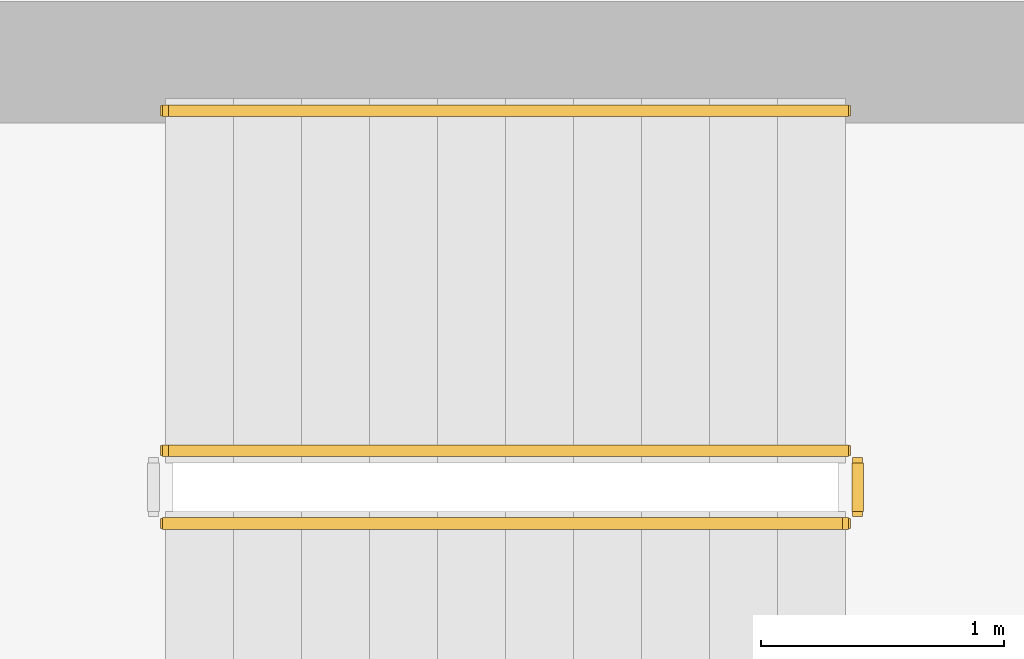
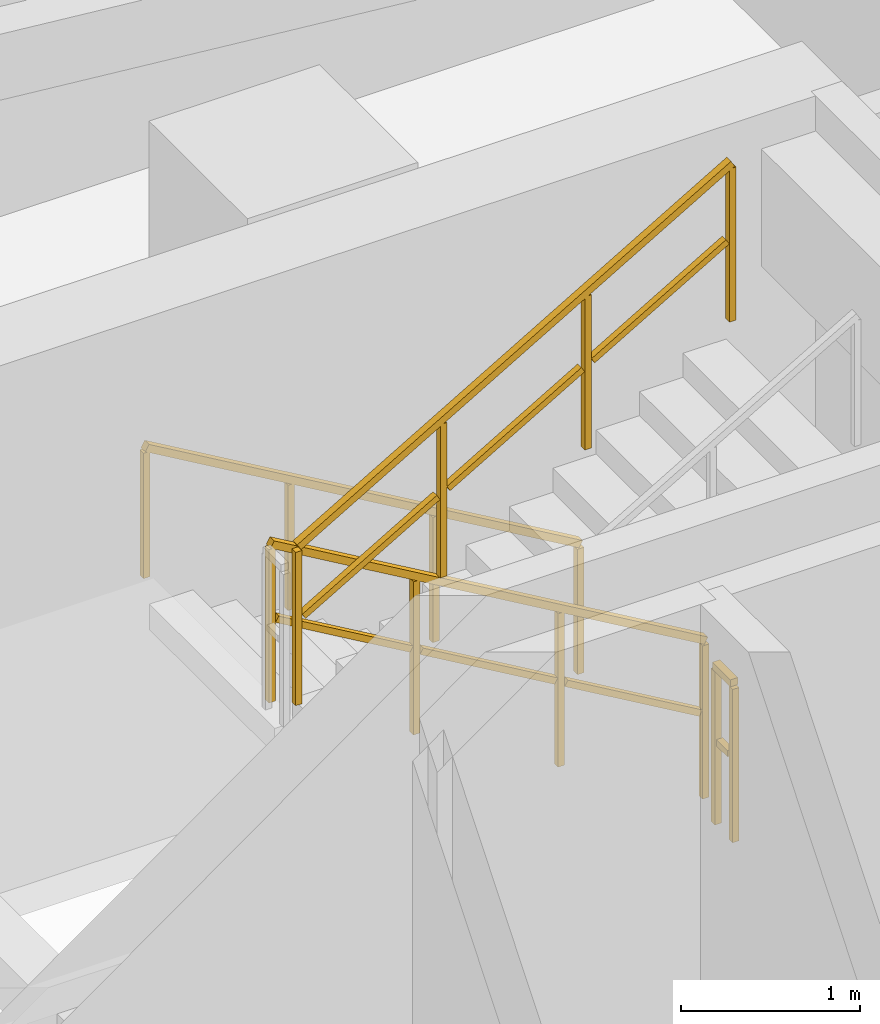
# One storey, part 30 of 32: 4 railings.
"""IFC4 building model written with IfcOpenShell, lengths in metres."""

from ifc_helpers import new_model, si_unit, direction, frame, origin, origin_2d, place, context, subcontext, project, spatial, rectangle, extrude, material, type_object, element, save


model = new_model("IFC4")

# Units and contexts
model_context = context("Model", 3, precision=1e-05, world=origin(), true_north=direction((0.0, 1.0)))
body_context = subcontext(model_context, "Body", "Model", "MODEL_VIEW")
ifc_project = project(units=[si_unit("LENGTHUNIT", "METRE"), si_unit("AREAUNIT", "SQUARE_METRE"), si_unit("VOLUMEUNIT", "CUBIC_METRE"), si_unit("PLANEANGLEUNIT", "RADIAN"), si_unit("MASSUNIT", "GRAM", prefix="KILO")], contexts=[model_context])

# Site, building, storey
site_placement = place(None, origin())
site = spatial("IfcSite", under=ifc_project, at=site_placement, CompositionType="ELEMENT")
building_placement = place(site_placement, origin())
building = spatial("IfcBuilding", under=site, at=building_placement, Name="Thornwick Lancets Civic Towers", CompositionType="ELEMENT")
storey_placement = place(building_placement, frame((0.0, 0.0, 152.699951171875)))
storey = spatial("IfcBuildingStorey", under=building, at=storey_placement, Name="L40", CompositionType="ELEMENT", Elevation=152.699951171875)

# Railings
ifc_material_1 = material(Name="Brushed stainless steel S355", Category="steel")
railing_type_1 = type_object("IfcRailingType", Name="RAIL_HANDRAIL", PredefinedType="HANDRAIL", material=ifc_material_1)
railing_1_placement = place(storey_placement, frame((31.60009765625, 38.949951171875, 0.16357421875)))
element("IfcRailing", 1, at=railing_1_placement, inside=storey, type_object=railing_type_1, Name="L40 ST-A2 stair handrail 1", PredefinedType="HANDRAIL", context=body_context, shape_type="SweptSolid", body=[
    extrude(rectangle(XDim=0.048095703125, YDim=0.048095703125, at=origin_2d()), frame((0.0, 0.0, 0.8857421875), z_axis=(-0.863360870873, 0.0, 0.504586966384), x_axis=(0.0, -1.0, 0.0)), (0.0, 0.0, 1.0), 3.2431640625),
    extrude(rectangle(XDim=0.0419921875, YDim=0.0419921875, at=origin_2d()), origin(), (0.0, 0.0, 1.0), 0.855712890625),
    extrude(rectangle(XDim=0.0419921875, YDim=0.0419921875, at=origin_2d()), frame((-0.933349609375, 0.0, 0.54541015625)), (0.0, 0.0, 1.0), 0.855712890625),
    extrude(rectangle(XDim=0.0419921875, YDim=0.0419921875, at=origin_2d()), frame((-1.86669921875, 0.0, 1.091064453125)), (0.0, 0.0, 1.0), 0.855712890625),
    extrude(rectangle(XDim=0.0419921875, YDim=0.0419921875, at=origin_2d()), frame((-2.800048828125, 0.0, 1.636474609375)), (0.0, 0.0, 1.0), 0.855712890625),
])
ifc_material_2 = material(Name="Steel S355JR", Category="steel")
railing_type_2 = type_object("IfcRailingType", Name="RAIL_STAIR_GUARD", PredefinedType="GUARDRAIL", material=ifc_material_2)
railing_2_placement = place(storey_placement, frame((31.60009765625, 37.550048828125, 0.16357421875)))
element("IfcRailing", 2, at=railing_2_placement, inside=storey, type_object=railing_type_2, Name="L40 ST-A2 stair guard 1", PredefinedType="GUARDRAIL", context=body_context, shape_type="SweptSolid", body=[
    extrude(rectangle(XDim=0.048095703125, YDim=0.048095703125, at=origin_2d()), frame((0.0, 0.0, 1.076171875), z_axis=(-0.863360870873, 0.0, 0.504586966384), x_axis=(0.0, -1.0, 0.0)), (0.0, 0.0, 1.0), 3.2431640625),
    extrude(rectangle(XDim=0.0419921875, YDim=0.0419921875, at=origin_2d()), frame((-0.032470703125, 0.0, 0.591064453125), z_axis=(-0.863360870873, 0.0, 0.504586966384), x_axis=(0.0, -1.0, 0.0)), (0.0, 0.0, 1.0), 1.006103515625),
    extrude(rectangle(XDim=0.0419921875, YDim=0.0419921875, at=origin_2d()), frame((-0.9658203125, 0.0, 1.136474609375), z_axis=(-0.863360870873, 0.0, 0.504586966384), x_axis=(0.0, -1.0, 0.0)), (0.0, 0.0, 1.0), 1.006103515625),
    extrude(rectangle(XDim=0.0419921875, YDim=0.0419921875, at=origin_2d()), frame((-1.899169921875, 0.0, 1.681884765625), z_axis=(-0.863360870873, 0.0, 0.504586966384), x_axis=(0.0, -1.0, 0.0)), (0.0, 0.0, 1.0), 1.006103515625),
    extrude(rectangle(XDim=0.0419921875, YDim=0.0419921875, at=origin_2d()), origin(), (0.0, 0.0, 1.0), 1.0458984375),
    extrude(rectangle(XDim=0.0419921875, YDim=0.0419921875, at=origin_2d()), frame((-0.933349609375, 0.0, 0.54541015625)), (0.0, 0.0, 1.0), 1.0458984375),
    extrude(rectangle(XDim=0.0419921875, YDim=0.0419921875, at=origin_2d()), frame((-1.86669921875, 0.0, 1.091064453125)), (0.0, 0.0, 1.0), 1.0458984375),
    extrude(rectangle(XDim=0.0419921875, YDim=0.0419921875, at=origin_2d()), frame((-2.800048828125, 0.0, 1.636474609375)), (0.0, 0.0, 1.0), 1.0458984375),
])
railing_3_placement = place(storey_placement, frame((28.800048828125, 37.25, 1.963623046875)))
element("IfcRailing", 3, at=railing_3_placement, inside=storey, type_object=railing_type_2, Name="L40 ST-A2 stair guard 3", PredefinedType="GUARDRAIL", context=body_context, shape_type="SweptSolid", body=[
    extrude(rectangle(XDim=0.048095703125, YDim=0.048095703125, at=origin_2d()), frame((0.0, 0.0, 1.076171875), z_axis=(0.863360870873, 0.0, 0.504586966384), x_axis=(0.0, 1.0, 0.0)), (0.0, 0.0, 1.0), 3.2431640625),
    extrude(rectangle(XDim=0.0419921875, YDim=0.0419921875, at=origin_2d()), frame((0.032470703125, 0.0, 0.591064453125), z_axis=(0.863360870873, 0.0, 0.504586966384), x_axis=(0.0, 1.0, 0.0)), (0.0, 0.0, 1.0), 1.006103515625),
    extrude(rectangle(XDim=0.0419921875, YDim=0.0419921875, at=origin_2d()), frame((0.9658203125, 0.0, 1.136474609375), z_axis=(0.863360870873, 0.0, 0.504586966384), x_axis=(0.0, 1.0, 0.0)), (0.0, 0.0, 1.0), 1.006103515625),
    extrude(rectangle(XDim=0.0419921875, YDim=0.0419921875, at=origin_2d()), frame((1.899169921875, 0.0, 1.681884765625), z_axis=(0.863360870873, 0.0, 0.504586966384), x_axis=(0.0, 1.0, 0.0)), (0.0, 0.0, 1.0), 1.006103515625),
    extrude(rectangle(XDim=0.0419921875, YDim=0.0419921875, at=origin_2d()), origin(), (0.0, 0.0, 1.0), 1.0458984375),
    extrude(rectangle(XDim=0.0419921875, YDim=0.0419921875, at=origin_2d()), frame((0.933349609375, 0.0, 0.54541015625)), (0.0, 0.0, 1.0), 1.0458984375),
    extrude(rectangle(XDim=0.0419921875, YDim=0.0419921875, at=origin_2d()), frame((1.86669921875, 0.0, 1.091064453125)), (0.0, 0.0, 1.0), 1.0458984375),
    extrude(rectangle(XDim=0.0419921875, YDim=0.0419921875, at=origin_2d()), frame((2.800048828125, 0.0, 1.636474609375)), (0.0, 0.0, 1.0), 1.0458984375),
])
railing_4_placement = place(storey_placement, frame((31.64990234375, 37.5, 0.0)))
element("IfcRailing", 4, at=railing_4_placement, inside=storey, type_object=railing_type_2, Name="L40 ST-A2 stair guard 4", PredefinedType="GUARDRAIL", context=body_context, shape_type="SweptSolid", body=[
    extrude(rectangle(XDim=0.048095703125, YDim=0.048095703125, at=origin_2d()), frame((0.0, 0.0, 1.076171875), z_axis=(0.0, -1.0, 0.0), x_axis=(1.0, 0.0, 0.0)), (0.0, 0.0, 1.0), 0.199951171875),
    extrude(rectangle(XDim=0.0419921875, YDim=0.0419921875, at=origin_2d()), frame((0.0, -0.03759765625, 0.572021484375), z_axis=(0.0, -1.0, 0.0), x_axis=(1.0, 0.0, 0.0)), (0.0, 0.0, 1.0), 0.125),
    extrude(rectangle(XDim=0.0419921875, YDim=0.0419921875, at=origin_2d()), origin(), (0.0, 0.0, 1.0), 1.0458984375),
    extrude(rectangle(XDim=0.0419921875, YDim=0.0419921875, at=origin_2d()), frame((0.0, -0.199951171875, 0.0)), (0.0, 0.0, 1.0), 1.0458984375),
])

save(model, "model.ifc")
